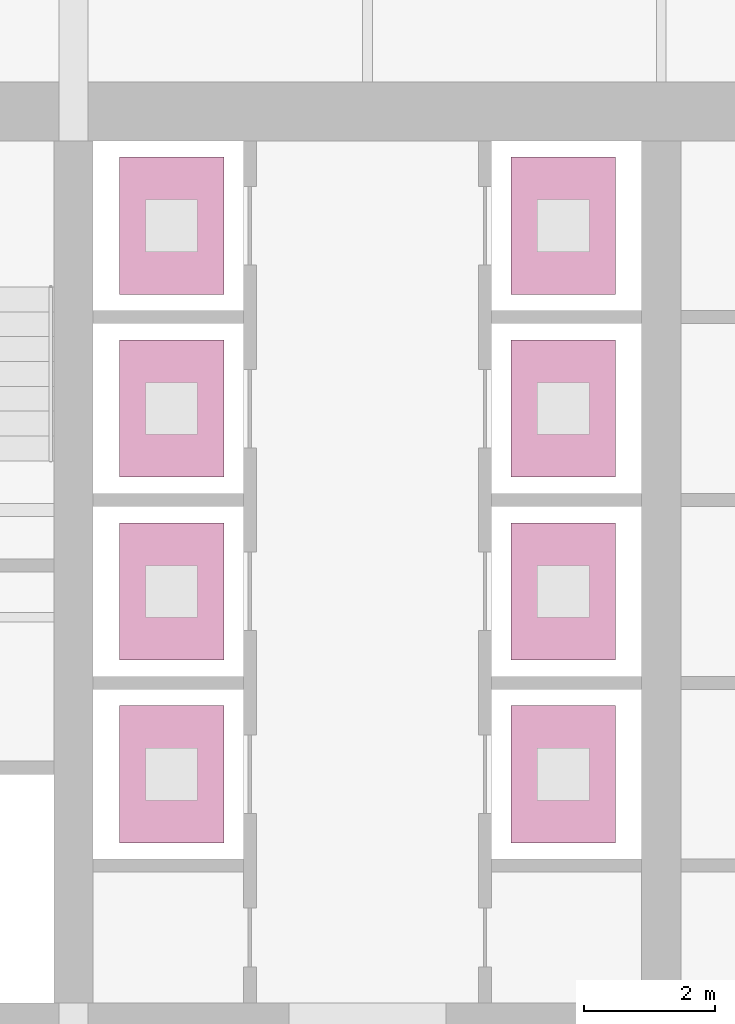
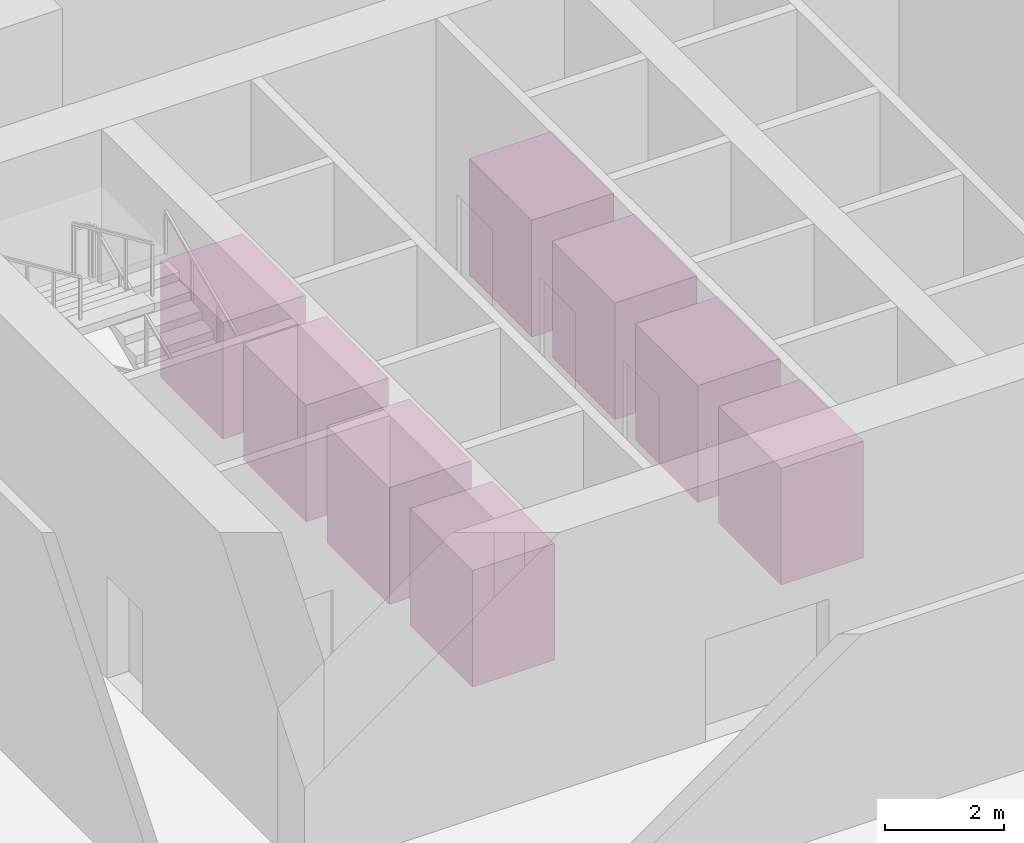
# One storey, part 11 of 11: 8 transport elements.
"""IFC4 building model written with IfcOpenShell, lengths in metres."""

from ifc_helpers import new_model, si_unit, direction, frame, origin, origin_2d, place, context, subcontext, project, spatial, rectangle, extrude, material, type_object, element, save


model = new_model("IFC4")

# Units and contexts
model_context = context("Model", 3, precision=1e-05, world=origin(), true_north=direction((0.0, 1.0)))
body_context = subcontext(model_context, "Body", "Model", "MODEL_VIEW")
ifc_project = project(units=[si_unit("LENGTHUNIT", "METRE"), si_unit("AREAUNIT", "SQUARE_METRE"), si_unit("VOLUMEUNIT", "CUBIC_METRE"), si_unit("PLANEANGLEUNIT", "RADIAN"), si_unit("MASSUNIT", "GRAM", prefix="KILO")], contexts=[model_context])

# Site, building, storey
site_placement = place(None, origin())
site = spatial("IfcSite", under=ifc_project, at=site_placement, CompositionType="ELEMENT")
building_placement = place(site_placement, origin())
building = spatial("IfcBuilding", under=site, at=building_placement, Name="Rattan Terrace Tower", CompositionType="ELEMENT")
storey_placement = place(building_placement, frame((0.0, 0.0, -5.5)))
storey = spatial("IfcBuildingStorey", under=building, at=storey_placement, Name="B1", CompositionType="ELEMENT", Elevation=-5.5)

# Transport elements
ifc_material = material(Name="Stainless steel lift car", Category="steel")
transport_element_type = type_object("IfcTransportElementType", Name="Core lift car local-rise", PredefinedType="ELEVATOR", material=ifc_material)
for number, where, z_axis, x_axis, name in (
    (1, (-12.0, -3.10009765625, 0.0), (0.0, 0.0, 1.0), (1.0, 0.0, 0.0), "Lift LR1 car"),
    (2, (-12.0, -0.300048828125, 0.0), (0.0, 0.0, 1.0), (1.0, 0.0, 0.0), "Lift LR2 car"),
    (3, (-12.0, 2.5, 0.0), (0.0, 0.0, 1.0), (1.0, 0.0, 0.0), "Lift LR3 car"),
    (4, (-12.0, 5.300048828125, 0.0), (0.0, 0.0, 1.0), (1.0, 0.0, 0.0), "Lift LR4 car"),
    (5, (-6.0, -3.10009765625, 0.0), (0.0, 0.0, 1.0), (1.0, 0.0, 0.0), "Lift LR5 car"),
    (6, (-6.0, -0.300048828125, 0.0), (0.0, 0.0, 1.0), (1.0, 0.0, 0.0), "Lift LR6 car"),
    (7, (-6.0, 2.5, 0.0), (0.0, 0.0, 1.0), (1.0, 0.0, 0.0), "Lift LR7 car"),
    (8, (-6.0, 5.300048828125, 0.0), (0.0, 0.0, 1.0), (1.0, 0.0, 0.0), "Lift LR8 car"),
):
    element("IfcTransportElement", number, at=place(storey_placement, frame(where, z_axis=z_axis, x_axis=x_axis)), inside=storey, type_object=transport_element_type, Name=name, PredefinedType="ELEVATOR", context=body_context, shape_type="SweptSolid", body=[
        extrude(rectangle(XDim=1.60009765625, YDim=2.10009765625, at=origin_2d()), origin(), (0.0, 0.0, 1.0), 2.39990234375),
    ])

save(model, "model.ifc")
